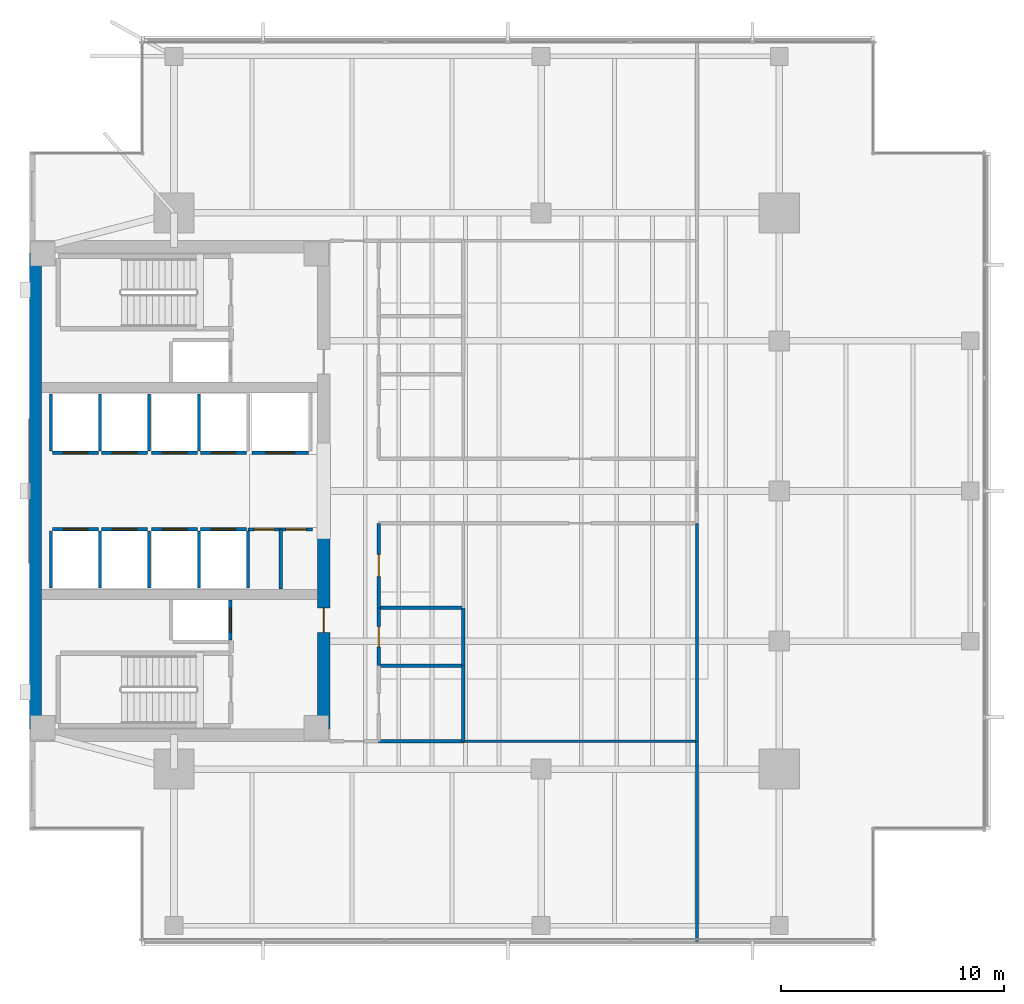
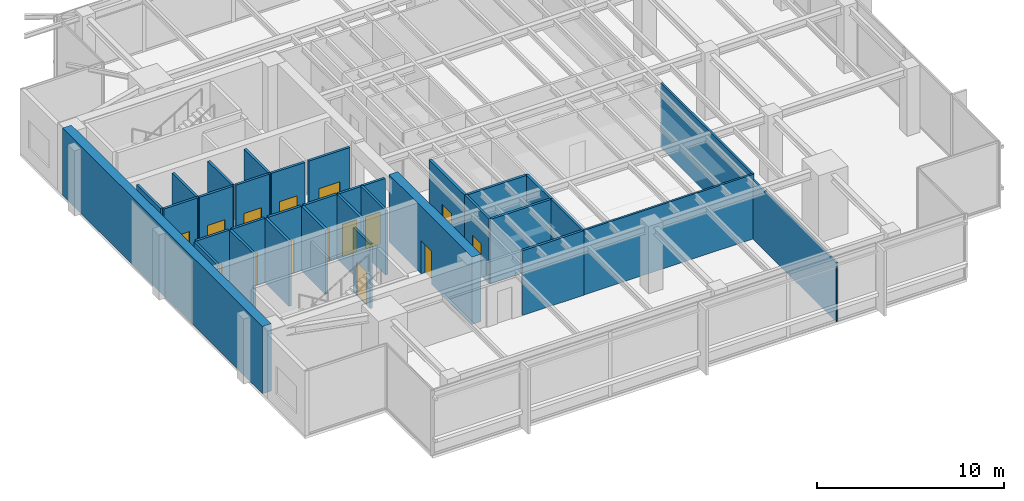
# One storey, part 8 of 14: 33 walls, 15 doors, 15 openings.
"""IFC4 building model written with IfcOpenShell, lengths in metres."""

from ifc_helpers import new_model, si_unit, direction, frame, frame_2d, origin, place, context, subcontext, project, spatial, rectangle, extrude, material, layer, layer_set, type_object, element, fill, save


model = new_model("IFC4")

# Units and contexts
model_context = context("Model", 3, precision=1e-05, world=origin(), true_north=direction((0.0, 1.0)))
body_context = subcontext(model_context, "Body", "Model", "MODEL_VIEW")
ifc_project = project(units=[si_unit("LENGTHUNIT", "METRE"), si_unit("AREAUNIT", "SQUARE_METRE"), si_unit("VOLUMEUNIT", "CUBIC_METRE"), si_unit("PLANEANGLEUNIT", "RADIAN"), si_unit("MASSUNIT", "GRAM", prefix="KILO")], contexts=[model_context])

# Site, building, storey
site_placement = place(None, origin())
site = spatial("IfcSite", under=ifc_project, at=site_placement, CompositionType="ELEMENT")
building_placement = place(site_placement, origin())
building = spatial("IfcBuilding", under=site, at=building_placement, Name="Kinhvarn Gate Tower", CompositionType="ELEMENT")
storey_placement = place(building_placement, frame((0.0, 0.0, 183.64990234375)))
storey = spatial("IfcBuildingStorey", under=building, at=storey_placement, Name="L48", CompositionType="ELEMENT", Elevation=183.64990234375)

# Wall, opening, door
ifc_material_1 = material(Name="Concrete C60/75", Category="concrete")
ifc_layer_1 = layer(ifc_material_1, 0.550048828125)
ifc_layer_set_1 = layer_set([ifc_layer_1], Name="Concrete C60/75")
wall_type_1 = type_object("IfcWallType", Name="WL-CORE-550", PredefinedType="SHEAR", material=ifc_layer_set_1)
wall_1_placement = place(storey_placement, frame((17.72509765625, 14.550048828125, 0.0), z_axis=(0.0, 0.0, 1.0), x_axis=(0.0, 1.0, 0.0)))
wall_1 = element("IfcWall", 1, at=wall_1_placement, inside=storey, type_object=wall_type_1, Name="Core East-South Shear Pier L48 550 mm", PredefinedType="SHEAR", context=body_context, shape_type="SweptSolid", body=[
    extrude(rectangle(XDim=8.89990234375, YDim=0.550048828125, at=frame_2d((4.449951171875, 0.0))), origin(), (0.0, 0.0, 1.0), 4.400146484375),
])
opening_1_placement = place(wall_1_placement, frame((4.35009765625, 0.0, 0.0)))
opening_1 = element("IfcOpeningElement", 2, at=opening_1_placement, cuts=wall_1, Name="Opening FD-02", PredefinedType="OPENING", context=body_context, shape_type="SweptSolid", body=[
    extrude(rectangle(XDim=1.10009765625, YDim=2.14990234375, at=frame_2d((0.550048828125, 1.074951171875))), frame((0.0, 0.28515625, 0.0), z_axis=(0.0, -1.0, 0.0), x_axis=(1.0, 0.0, 0.0)), (0.0, 0.0, 1.0), 0.570068359375),
])
ifc_material_2 = material(Name="Anodised aluminium AW-6063", Category="aluminium")
door_type_1 = type_object("IfcDoorType", Name="DR-FD-1100", OperationType="NOTDEFINED", PredefinedType="DOOR", material=ifc_material_2)
door_1_placement = place(opening_1_placement, origin())
door_1 = element("IfcDoor", 3, at=door_1_placement, inside=storey, type_object=door_type_1, Name="Firefighting Lobby Core Door (L48)", OperationType="SINGLE_SWING_RIGHT", OverallHeight=2.14990234375, OverallWidth=1.10009765625, PredefinedType="DOOR", context=body_context, shape_type="SweptSolid", body=[
    extrude(rectangle(XDim=1.10009765625, YDim=2.14990234375, at=frame_2d((0.550048828125, 1.074951171875))), frame((0.0, 0.02490234375, 0.0), z_axis=(0.0, -1.0, 0.0), x_axis=(1.0, 0.0, 0.0)), (0.0, 0.0, 1.0), 0.050048828125),
])
fill(opening_1, door_1)

# Walls
ifc_layer_2 = layer(ifc_material_1, 0.550048828125)
ifc_layer_set_2 = layer_set([ifc_layer_2], Name="Concrete C60/75")
wall_type_2 = type_object("IfcWallType", Name="WL-COREX-550", PredefinedType="SHEAR", material=ifc_layer_set_2)
wall_2_placement = place(storey_placement, frame((4.77490234375, 14.550048828125, 0.0), z_axis=(0.0, 0.0, 1.0), x_axis=(0.0, 1.0, 0.0)))
element("IfcWall", 4, at=wall_2_placement, inside=storey, type_object=wall_type_2, Name="Core West Shear Wall L48 550 mm", PredefinedType="SHEAR", context=body_context, shape_type="SweptSolid", body=[
    extrude(rectangle(XDim=21.39990234375, YDim=0.550048828125, at=frame_2d((10.699951171875, 0.0))), origin(), (0.0, 0.0, 1.0), 4.400146484375),
])
ifc_material_3 = material(Name="Gypsum acoustic partition board")
ifc_layer_3 = layer(ifc_material_3, 0.14990234375)
ifc_layer_set_3 = layer_set([ifc_layer_3], Name="Gypsum acoustic partition board")
wall_type_3 = type_object("IfcWallType", Name="WL-PLM-150", PredefinedType="PLUMBINGWALL", material=ifc_layer_set_3)
for number, where, z_axis, x_axis, name in (
    (5, (20.199951171875, 17.39990234375, 0.0), (0.0, 0.0, 1.0), (1.0, 0.0, 0.0), "Interior Partition PLW-150 (L48)"),
    (6, (20.199951171875, 14.0, 0.0), (0.0, 0.0, 1.0), (1.0, 0.0, 0.0), "Interior Partition PLW-150 (L48)"),
):
    element("IfcWall", number, at=place(storey_placement, frame(where, z_axis=z_axis, x_axis=x_axis)), inside=storey, type_object=wall_type_3, Name=name, PredefinedType="PLUMBINGWALL", context=body_context, shape_type="SweptSolid", body=[
        extrude(rectangle(XDim=3.800048828125, YDim=0.14990234375, at=frame_2d((1.89990234375, 0.0))), origin(), (0.0, 0.0, 1.0), 4.22021484375),
    ])
wall_3_placement = place(storey_placement, frame((24.0, 14.0, 0.0), z_axis=(0.0, 0.0, 1.0), x_axis=(0.0, 1.0, 0.0)))
element("IfcWall", 7, at=wall_3_placement, inside=storey, type_object=wall_type_3, Name="Interior Partition PLW-150 (L48)", PredefinedType="PLUMBINGWALL", context=body_context, shape_type="SweptSolid", body=[
    extrude(rectangle(XDim=3.39990234375, YDim=0.14990234375, at=frame_2d((1.699951171875, 0.0))), origin(), (0.0, 0.0, 1.0), 4.22021484375),
])
wall_4_placement = place(storey_placement, frame((24.0, 17.39990234375, 0.0), z_axis=(0.0, 0.0, 1.0), x_axis=(0.0, 1.0, 0.0)))
element("IfcWall", 8, at=wall_4_placement, inside=storey, type_object=wall_type_3, Name="Interior Partition PLW-150 (L48)", PredefinedType="PLUMBINGWALL", context=body_context, shape_type="SweptSolid", body=[
    extrude(rectangle(XDim=2.60009765625, YDim=0.14990234375, at=frame_2d((1.300048828125, 0.0))), origin(), (0.0, 0.0, 1.0), 4.22021484375),
])
wall_5_placement = place(storey_placement, frame((20.199951171875, 20.0, 0.0), z_axis=(0.0, 0.0, 1.0), x_axis=(1.0, 0.0, 0.0)))
element("IfcWall", 9, at=wall_5_placement, inside=storey, type_object=wall_type_3, Name="Interior Partition PLW-150 (L48)", PredefinedType="PLUMBINGWALL", context=body_context, shape_type="SweptSolid", body=[
    extrude(rectangle(XDim=3.800048828125, YDim=0.14990234375, at=frame_2d((1.89990234375, 0.0))), origin(), (0.0, 0.0, 1.0), 4.22021484375),
])

# Wall, opening, door
ifc_layer_4 = layer(ifc_material_3, 0.14990234375)
ifc_layer_set_4 = layer_set([ifc_layer_4], Name="Gypsum acoustic partition board")
wall_type_4 = type_object("IfcWallType", Name="WL-PLM-150F", PredefinedType="PLUMBINGWALL", material=ifc_layer_set_4)
wall_6_placement = place(storey_placement, frame((20.199951171875, 17.39990234375, 0.0), z_axis=(0.0, 0.0, 1.0), x_axis=(0.0, 1.0, 0.0)))
wall_6 = element("IfcWall", 10, at=wall_6_placement, inside=storey, type_object=wall_type_4, Name="Interior Partition PLW-150F (L48)", PredefinedType="PLUMBINGWALL", context=body_context, shape_type="SweptSolid", body=[
    extrude(rectangle(XDim=2.60009765625, YDim=0.14990234375, at=frame_2d((1.300048828125, 0.0))), origin(), (0.0, 0.0, 1.0), 4.22021484375),
])
opening_2_placement = place(wall_6_placement, frame((0.85009765625, 0.0, 0.0)))
opening_2 = element("IfcOpeningElement", 11, at=opening_2_placement, cuts=wall_6, Name="Opening FD-04", PredefinedType="OPENING", context=body_context, shape_type="SweptSolid", body=[
    extrude(rectangle(XDim=0.89990234375, YDim=2.10009765625, at=frame_2d((0.449951171875, 1.050048828125))), frame((0.0, 0.0849609375, 0.0), z_axis=(0.0, -1.0, 0.0), x_axis=(1.0, 0.0, 0.0)), (0.0, 0.0, 1.0), 0.169921875),
])
door_type_2 = type_object("IfcDoorType", Name="DR-FD-900", OperationType="NOTDEFINED", PredefinedType="DOOR", material=ifc_material_2)
door_2_placement = place(opening_2_placement, origin())
door_2 = element("IfcDoor", 12, at=door_2_placement, inside=storey, type_object=door_type_2, Name="Rated Riser & Service Closet Fire Door 900x2100 mm (L48)", OperationType="SINGLE_SWING_LEFT", OverallHeight=2.10009765625, OverallWidth=0.89990234375, PredefinedType="DOOR", context=body_context, shape_type="SweptSolid", body=[
    extrude(rectangle(XDim=0.89990234375, YDim=2.10009765625, at=frame_2d((0.449951171875, 1.050048828125))), frame((0.0, 0.02490234375, 0.0), z_axis=(0.0, -1.0, 0.0), x_axis=(1.0, 0.0, 0.0)), (0.0, 0.0, 1.0), 0.050048828125),
])
fill(opening_2, door_2)

# Walls
ifc_layer_5 = layer(ifc_material_3, 0.1201171875)
ifc_layer_set_5 = layer_set([ifc_layer_5], Name="Gypsum acoustic partition board")
wall_type_5 = type_object("IfcWallType", Name="WL-PRT-120", PredefinedType="PARTITIONING", material=ifc_layer_set_5)
wall_7_placement = place(storey_placement, frame((24.0, 14.0, 0.0), z_axis=(0.0, 0.0, 1.0), x_axis=(1.0, 0.0, 0.0)))
element("IfcWall", 13, at=wall_7_placement, inside=storey, type_object=wall_type_5, Name="Interior Partition PW-120 (L48)", PredefinedType="PARTITIONING", context=body_context, shape_type="SweptSolid", body=[
    extrude(rectangle(XDim=10.5, YDim=0.1201171875, at=frame_2d((5.25, 0.0))), origin(), (0.0, 0.0, 1.0), 4.22021484375),
])
wall_8_placement = place(storey_placement, frame((34.5, 5.010009765625, 0.0), z_axis=(0.0, 0.0, 1.0), x_axis=(0.0, 1.0, 0.0)))
element("IfcWall", 14, at=wall_8_placement, inside=storey, type_object=wall_type_5, Name="Interior Partition PW-120 (L48)", PredefinedType="PARTITIONING", context=body_context, shape_type="SweptSolid", body=[
    extrude(rectangle(XDim=8.989990234375, YDim=0.1201171875, at=frame_2d((4.4951171875, 0.0))), origin(), (0.0, 0.0, 1.0), 3.860107421875),
])
wall_9_placement = place(storey_placement, frame((34.5, 14.0, 0.0), z_axis=(0.0, 0.0, 1.0), x_axis=(0.0, 1.0, 0.0)))
element("IfcWall", 15, at=wall_9_placement, inside=storey, type_object=wall_type_5, Name="Interior Partition PW-120 (L48)", PredefinedType="PARTITIONING", context=body_context, shape_type="SweptSolid", body=[
    extrude(rectangle(XDim=9.800048828125, YDim=0.1201171875, at=frame_2d((4.89990234375, 0.0))), origin(), (0.0, 0.0, 1.0), 4.22021484375),
])
ifc_layer_6 = layer(ifc_material_3, 0.14990234375)
ifc_layer_set_6 = layer_set([ifc_layer_6], Name="Gypsum acoustic partition board")
wall_type_6 = type_object("IfcWallType", Name="WL-PRT-150F", PredefinedType="PARTITIONING", material=ifc_layer_set_6)
wall_10_placement = place(storey_placement, frame((15.800048828125, 20.85009765625, 0.0), z_axis=(0.0, 0.0, 1.0), x_axis=(0.0, 1.0, 0.0)))
element("IfcWall", 16, at=wall_10_placement, inside=storey, type_object=wall_type_6, Name="Interior Partition PW-150F (L48)", PredefinedType="PARTITIONING", context=body_context, shape_type="SweptSolid", body=[
    extrude(rectangle(XDim=2.669921875, YDim=0.14990234375, at=frame_2d((1.3349609375, 0.0))), origin(), (0.0, 0.0, 1.0), 4.22021484375),
])

# Wall, openings, doors
wall_11_placement = place(storey_placement, frame((14.330078125, 23.52001953125, 0.0), z_axis=(0.0, 0.0, 1.0), x_axis=(1.0, 0.0, 0.0)))
wall_11 = element("IfcWall", 17, at=wall_11_placement, inside=storey, type_object=wall_type_6, Name="Interior Partition PW-150F (L48)", PredefinedType="PARTITIONING", context=body_context, shape_type="SweptSolid", body=[
    extrude(rectangle(XDim=2.889892578125, YDim=0.14990234375, at=frame_2d((1.44482421875, 0.0))), origin(), (0.0, 0.0, 1.0), 4.22021484375),
])
opening_3_placement = place(wall_11_placement, frame((0.280029296875, 0.0, 0.0)))
opening_3 = element("IfcOpeningElement", 18, at=opening_3_placement, cuts=wall_11, Name="Opening FD-04", PredefinedType="OPENING", context=body_context, shape_type="SweptSolid", body=[
    extrude(rectangle(XDim=0.89990234375, YDim=2.10009765625, at=frame_2d((0.449951171875, 1.050048828125))), frame((0.0, 0.0849609375, 0.0), z_axis=(0.0, -1.0, 0.0), x_axis=(1.0, 0.0, 0.0)), (0.0, 0.0, 1.0), 0.169921875),
])
opening_4_placement = place(wall_11_placement, frame((1.7099609375, 0.0, 0.0)))
opening_4 = element("IfcOpeningElement", 19, at=opening_4_placement, cuts=wall_11, Name="Opening FD-04", PredefinedType="OPENING", context=body_context, shape_type="SweptSolid", body=[
    extrude(rectangle(XDim=0.89990234375, YDim=2.10009765625, at=frame_2d((0.449951171875, 1.050048828125))), frame((0.0, 0.0849609375, 0.0), z_axis=(0.0, -1.0, 0.0), x_axis=(1.0, 0.0, 0.0)), (0.0, 0.0, 1.0), 0.169921875),
])
door_3_placement = place(opening_3_placement, origin())
door_3 = element("IfcDoor", 20, at=door_3_placement, inside=storey, type_object=door_type_2, Name="Rated Riser & Service Closet Fire Door 900x2100 mm (L48)", OperationType="SINGLE_SWING_LEFT", OverallHeight=2.10009765625, OverallWidth=0.89990234375, PredefinedType="DOOR", context=body_context, shape_type="SweptSolid", body=[
    extrude(rectangle(XDim=0.89990234375, YDim=2.10009765625, at=frame_2d((0.449951171875, 1.050048828125))), frame((0.0, 0.02490234375, 0.0), z_axis=(0.0, -1.0, 0.0), x_axis=(1.0, 0.0, 0.0)), (0.0, 0.0, 1.0), 0.050048828125),
])
fill(opening_3, door_3)
door_4_placement = place(opening_4_placement, origin())
door_4 = element("IfcDoor", 21, at=door_4_placement, inside=storey, type_object=door_type_2, Name="Rated Riser & Service Closet Fire Door 900x2100 mm (L48)", OperationType="SINGLE_SWING_RIGHT", OverallHeight=2.10009765625, OverallWidth=0.89990234375, PredefinedType="DOOR", context=body_context, shape_type="SweptSolid", body=[
    extrude(rectangle(XDim=0.89990234375, YDim=2.10009765625, at=frame_2d((0.449951171875, 1.050048828125))), frame((0.0, 0.02490234375, 0.0), z_axis=(0.0, -1.0, 0.0), x_axis=(1.0, 0.0, 0.0)), (0.0, 0.0, 1.0), 0.050048828125),
])
fill(opening_4, door_4)

# Wall, opening, door
wall_12_placement = place(storey_placement, frame((20.199951171875, 20.0, 0.0), z_axis=(0.0, 0.0, 1.0), x_axis=(0.0, 1.0, 0.0)))
wall_12 = element("IfcWall", 22, at=wall_12_placement, inside=storey, type_object=wall_type_6, Name="Interior Partition PW-150F (L48)", PredefinedType="PARTITIONING", context=body_context, shape_type="SweptSolid", body=[
    extrude(rectangle(XDim=3.800048828125, YDim=0.14990234375, at=frame_2d((1.89990234375, 0.0))), origin(), (0.0, 0.0, 1.0), 4.22021484375),
])
opening_5_placement = place(wall_12_placement, frame((1.39990234375, 0.0, 0.0)))
opening_5 = element("IfcOpeningElement", 23, at=opening_5_placement, cuts=wall_12, Name="Opening ID-02", PredefinedType="OPENING", context=body_context, shape_type="SweptSolid", body=[
    extrude(rectangle(XDim=1.0, YDim=2.14990234375, at=frame_2d((0.5, 1.074951171875))), frame((0.0, 0.0849609375, 0.0), z_axis=(0.0, -1.0, 0.0), x_axis=(1.0, 0.0, 0.0)), (0.0, 0.0, 1.0), 0.169921875),
])
door_type_3 = type_object("IfcDoorType", Name="DR-INT-1000", OperationType="NOTDEFINED", PredefinedType="DOOR", material=ifc_material_2)
door_5_placement = place(opening_5_placement, origin())
door_5 = element("IfcDoor", 24, at=door_5_placement, inside=storey, type_object=door_type_3, Name="Standard Office & Meeting Room Door 1000x2150 mm (L48)", OperationType="SINGLE_SWING_LEFT", OverallHeight=2.14990234375, OverallWidth=1.0, PredefinedType="DOOR", context=body_context, shape_type="SweptSolid", body=[
    extrude(rectangle(XDim=1.0, YDim=2.14990234375, at=frame_2d((0.5, 1.074951171875))), frame((0.0, 0.02490234375, 0.0), z_axis=(0.0, -1.0, 0.0), x_axis=(1.0, 0.0, 0.0)), (0.0, 0.0, 1.0), 0.050048828125),
])
fill(opening_5, door_5)

ifc_layer_7 = layer(ifc_material_3, 0.14990234375)
ifc_layer_set_7 = layer_set([ifc_layer_7], Name="Gypsum acoustic partition board")
wall_type_7 = type_object("IfcWallType", Name="WL-SHF-150", PredefinedType="PARTITIONING", material=ifc_layer_set_7)
wall_13_placement = place(storey_placement, frame((5.550048828125, 23.52490234375, 0.0), z_axis=(0.0, 0.0, 1.0), x_axis=(1.0, 0.0, 0.0)))
wall_13 = element("IfcWall", 25, at=wall_13_placement, inside=storey, type_object=wall_type_7, Name="Elevator PM-05 Landing Wall (L48)", PredefinedType="PARTITIONING", context=body_context, shape_type="SweptSolid", body=[
    extrude(rectangle(XDim=2.050048828125, YDim=0.14990234375, at=frame_2d((1.02490234375, 0.0))), origin(), (0.0, 0.0, 1.0), 4.22021484375),
])
opening_6_placement = place(wall_13_placement, frame((0.47509765625, 0.0, 0.0)))
opening_6 = element("IfcOpeningElement", 26, at=opening_6_placement, cuts=wall_13, Name="Opening LD-01", PredefinedType="OPENING", context=body_context, shape_type="SweptSolid", body=[
    extrude(rectangle(XDim=1.10009765625, YDim=2.199951171875, at=frame_2d((0.550048828125, 1.10009765625))), frame((0.0, 0.0849609375, 0.0), z_axis=(0.0, -1.0, 0.0), x_axis=(1.0, 0.0, 0.0)), (0.0, 0.0, 1.0), 0.169921875),
])
door_type_4 = type_object("IfcDoorType", Name="DR-LND-PAS", OperationType="NOTDEFINED", PredefinedType="DOOR", material=ifc_material_2)
door_6_placement = place(opening_6_placement, origin())
door_6 = element("IfcDoor", 27, at=door_6_placement, inside=storey, type_object=door_type_4, Name="Elevator PM-05 Sliding Landing Door (L48)", OperationType="DOUBLE_DOOR_SLIDING", OverallHeight=2.199951171875, OverallWidth=1.10009765625, PredefinedType="DOOR", context=body_context, shape_type="SweptSolid", body=[
    extrude(rectangle(XDim=1.10009765625, YDim=2.199951171875, at=frame_2d((0.550048828125, 1.10009765625))), frame((0.0, 0.02490234375, 0.0), z_axis=(0.0, -1.0, 0.0), x_axis=(1.0, 0.0, 0.0)), (0.0, 0.0, 1.0), 0.050048828125),
])
fill(opening_6, door_6)

# Walls
for number, where, z_axis, x_axis, name in (
    (28, (5.47509765625, 20.89990234375, 0.0), (0.0, 0.0, 1.0), (0.0, 1.0, 0.0), "Elevator PM-05 Hoistway Wall W (L48)"),
    (29, (7.675048828125, 20.89990234375, 0.0), (0.0, 0.0, 1.0), (0.0, 1.0, 0.0), "Elevator PM-05 Hoistway Wall E (L48)"),
):
    element("IfcWall", number, at=place(storey_placement, frame(where, z_axis=z_axis, x_axis=x_axis)), inside=storey, type_object=wall_type_7, Name=name, PredefinedType="PARTITIONING", context=body_context, shape_type="SweptSolid", body=[
        extrude(rectangle(XDim=2.550048828125, YDim=0.14990234375, at=frame_2d((1.27490234375, 0.0))), origin(), (0.0, 0.0, 1.0), 4.22021484375),
    ])

# Wall, opening, door
wall_14_placement = place(storey_placement, frame((7.75, 23.52490234375, 0.0), z_axis=(0.0, 0.0, 1.0), x_axis=(1.0, 0.0, 0.0)))
wall_14 = element("IfcWall", 30, at=wall_14_placement, inside=storey, type_object=wall_type_7, Name="Elevator PM-06 Landing Wall (L48)", PredefinedType="PARTITIONING", context=body_context, shape_type="SweptSolid", body=[
    extrude(rectangle(XDim=2.050048828125, YDim=0.14990234375, at=frame_2d((1.02490234375, 0.0))), origin(), (0.0, 0.0, 1.0), 4.22021484375),
])
opening_7_placement = place(wall_14_placement, frame((0.47509765625, 0.0, 0.0)))
opening_7 = element("IfcOpeningElement", 31, at=opening_7_placement, cuts=wall_14, Name="Opening LD-01", PredefinedType="OPENING", context=body_context, shape_type="SweptSolid", body=[
    extrude(rectangle(XDim=1.10009765625, YDim=2.199951171875, at=frame_2d((0.550048828125, 1.10009765625))), frame((0.0, 0.0849609375, 0.0), z_axis=(0.0, -1.0, 0.0), x_axis=(1.0, 0.0, 0.0)), (0.0, 0.0, 1.0), 0.169921875),
])
door_7_placement = place(opening_7_placement, origin())
door_7 = element("IfcDoor", 32, at=door_7_placement, inside=storey, type_object=door_type_4, Name="Elevator PM-06 Sliding Landing Door (L48)", OperationType="DOUBLE_DOOR_SLIDING", OverallHeight=2.199951171875, OverallWidth=1.10009765625, PredefinedType="DOOR", context=body_context, shape_type="SweptSolid", body=[
    extrude(rectangle(XDim=1.10009765625, YDim=2.199951171875, at=frame_2d((0.550048828125, 1.10009765625))), frame((0.0, 0.02490234375, 0.0), z_axis=(0.0, -1.0, 0.0), x_axis=(1.0, 0.0, 0.0)), (0.0, 0.0, 1.0), 0.050048828125),
])
fill(opening_7, door_7)

# Wall
wall_15_placement = place(storey_placement, frame((9.875, 20.89990234375, 0.0), z_axis=(0.0, 0.0, 1.0), x_axis=(0.0, 1.0, 0.0)))
element("IfcWall", 33, at=wall_15_placement, inside=storey, type_object=wall_type_7, Name="Elevator PM-06 Hoistway Wall E (L48)", PredefinedType="PARTITIONING", context=body_context, shape_type="SweptSolid", body=[
    extrude(rectangle(XDim=2.550048828125, YDim=0.14990234375, at=frame_2d((1.27490234375, 0.0))), origin(), (0.0, 0.0, 1.0), 4.22021484375),
])

# Wall, opening, door
wall_16_placement = place(storey_placement, frame((5.550048828125, 26.97509765625, 0.0), z_axis=(0.0, 0.0, 1.0), x_axis=(1.0, 0.0, 0.0)))
wall_16 = element("IfcWall", 34, at=wall_16_placement, inside=storey, type_object=wall_type_7, Name="Elevator PM-07 Landing Wall (L48)", PredefinedType="PARTITIONING", context=body_context, shape_type="SweptSolid", body=[
    extrude(rectangle(XDim=2.050048828125, YDim=0.14990234375, at=frame_2d((1.02490234375, 0.0))), origin(), (0.0, 0.0, 1.0), 4.22021484375),
])
opening_8_placement = place(wall_16_placement, frame((0.47509765625, 0.0, 0.0)))
opening_8 = element("IfcOpeningElement", 35, at=opening_8_placement, cuts=wall_16, Name="Opening LD-01", PredefinedType="OPENING", context=body_context, shape_type="SweptSolid", body=[
    extrude(rectangle(XDim=1.10009765625, YDim=2.199951171875, at=frame_2d((0.550048828125, 1.10009765625))), frame((0.0, 0.0849609375, 0.0), z_axis=(0.0, -1.0, 0.0), x_axis=(1.0, 0.0, 0.0)), (0.0, 0.0, 1.0), 0.169921875),
])
door_8_placement = place(opening_8_placement, origin())
door_8 = element("IfcDoor", 36, at=door_8_placement, inside=storey, type_object=door_type_4, Name="Elevator PM-07 Sliding Landing Door (L48)", OperationType="DOUBLE_DOOR_SLIDING", OverallHeight=2.199951171875, OverallWidth=1.10009765625, PredefinedType="DOOR", context=body_context, shape_type="SweptSolid", body=[
    extrude(rectangle(XDim=1.10009765625, YDim=2.199951171875, at=frame_2d((0.550048828125, 1.10009765625))), frame((0.0, 0.02490234375, 0.0), z_axis=(0.0, -1.0, 0.0), x_axis=(1.0, 0.0, 0.0)), (0.0, 0.0, 1.0), 0.050048828125),
])
fill(opening_8, door_8)

# Walls
for number, where, z_axis, x_axis, name in (
    (37, (5.47509765625, 27.050048828125, 0.0), (0.0, 0.0, 1.0), (0.0, 1.0, 0.0), "Elevator PM-07 Hoistway Wall W (L48)"),
    (38, (7.675048828125, 27.050048828125, 0.0), (0.0, 0.0, 1.0), (0.0, 1.0, 0.0), "Elevator PM-07 Hoistway Wall E (L48)"),
):
    element("IfcWall", number, at=place(storey_placement, frame(where, z_axis=z_axis, x_axis=x_axis)), inside=storey, type_object=wall_type_7, Name=name, PredefinedType="PARTITIONING", context=body_context, shape_type="SweptSolid", body=[
        extrude(rectangle(XDim=2.550048828125, YDim=0.14990234375, at=frame_2d((1.27490234375, 0.0))), origin(), (0.0, 0.0, 1.0), 4.22021484375),
    ])

# Wall, opening, door
wall_17_placement = place(storey_placement, frame((7.75, 26.97509765625, 0.0), z_axis=(0.0, 0.0, 1.0), x_axis=(1.0, 0.0, 0.0)))
wall_17 = element("IfcWall", 39, at=wall_17_placement, inside=storey, type_object=wall_type_7, Name="Elevator PM-08 Landing Wall (L48)", PredefinedType="PARTITIONING", context=body_context, shape_type="SweptSolid", body=[
    extrude(rectangle(XDim=2.050048828125, YDim=0.14990234375, at=frame_2d((1.02490234375, 0.0))), origin(), (0.0, 0.0, 1.0), 4.22021484375),
])
opening_9_placement = place(wall_17_placement, frame((0.47509765625, 0.0, 0.0)))
opening_9 = element("IfcOpeningElement", 40, at=opening_9_placement, cuts=wall_17, Name="Opening LD-01", PredefinedType="OPENING", context=body_context, shape_type="SweptSolid", body=[
    extrude(rectangle(XDim=1.10009765625, YDim=2.199951171875, at=frame_2d((0.550048828125, 1.10009765625))), frame((0.0, 0.0849609375, 0.0), z_axis=(0.0, -1.0, 0.0), x_axis=(1.0, 0.0, 0.0)), (0.0, 0.0, 1.0), 0.169921875),
])
door_9_placement = place(opening_9_placement, origin())
door_9 = element("IfcDoor", 41, at=door_9_placement, inside=storey, type_object=door_type_4, Name="Elevator PM-08 Sliding Landing Door (L48)", OperationType="DOUBLE_DOOR_SLIDING", OverallHeight=2.199951171875, OverallWidth=1.10009765625, PredefinedType="DOOR", context=body_context, shape_type="SweptSolid", body=[
    extrude(rectangle(XDim=1.10009765625, YDim=2.199951171875, at=frame_2d((0.550048828125, 1.10009765625))), frame((0.0, 0.02490234375, 0.0), z_axis=(0.0, -1.0, 0.0), x_axis=(1.0, 0.0, 0.0)), (0.0, 0.0, 1.0), 0.050048828125),
])
fill(opening_9, door_9)

# Wall
wall_18_placement = place(storey_placement, frame((9.875, 27.050048828125, 0.0), z_axis=(0.0, 0.0, 1.0), x_axis=(0.0, 1.0, 0.0)))
element("IfcWall", 42, at=wall_18_placement, inside=storey, type_object=wall_type_7, Name="Elevator PM-08 Hoistway Wall E (L48)", PredefinedType="PARTITIONING", context=body_context, shape_type="SweptSolid", body=[
    extrude(rectangle(XDim=2.550048828125, YDim=0.14990234375, at=frame_2d((1.27490234375, 0.0))), origin(), (0.0, 0.0, 1.0), 4.22021484375),
])

# Wall, opening, door
wall_19_placement = place(storey_placement, frame((10.0, 23.52490234375, 0.0), z_axis=(0.0, 0.0, 1.0), x_axis=(1.0, 0.0, 0.0)))
wall_19 = element("IfcWall", 43, at=wall_19_placement, inside=storey, type_object=wall_type_7, Name="Elevator PH-09 Landing Wall (L48)", PredefinedType="PARTITIONING", context=body_context, shape_type="SweptSolid", body=[
    extrude(rectangle(XDim=2.050048828125, YDim=0.14990234375, at=frame_2d((1.02490234375, 0.0))), origin(), (0.0, 0.0, 1.0), 4.22021484375),
])
opening_10_placement = place(wall_19_placement, frame((0.47509765625, 0.0, 0.0)))
opening_10 = element("IfcOpeningElement", 44, at=opening_10_placement, cuts=wall_19, Name="Opening LD-01", PredefinedType="OPENING", context=body_context, shape_type="SweptSolid", body=[
    extrude(rectangle(XDim=1.10009765625, YDim=2.199951171875, at=frame_2d((0.550048828125, 1.10009765625))), frame((0.0, 0.0849609375, 0.0), z_axis=(0.0, -1.0, 0.0), x_axis=(1.0, 0.0, 0.0)), (0.0, 0.0, 1.0), 0.169921875),
])
door_10_placement = place(opening_10_placement, origin())
door_10 = element("IfcDoor", 45, at=door_10_placement, inside=storey, type_object=door_type_4, Name="Elevator PH-09 Sliding Landing Door (L48)", OperationType="DOUBLE_DOOR_SLIDING", OverallHeight=2.199951171875, OverallWidth=1.10009765625, PredefinedType="DOOR", context=body_context, shape_type="SweptSolid", body=[
    extrude(rectangle(XDim=1.10009765625, YDim=2.199951171875, at=frame_2d((0.550048828125, 1.10009765625))), frame((0.0, 0.02490234375, 0.0), z_axis=(0.0, -1.0, 0.0), x_axis=(1.0, 0.0, 0.0)), (0.0, 0.0, 1.0), 0.050048828125),
])
fill(opening_10, door_10)

# Wall
wall_20_placement = place(storey_placement, frame((12.125, 20.89990234375, 0.0), z_axis=(0.0, 0.0, 1.0), x_axis=(0.0, 1.0, 0.0)))
element("IfcWall", 46, at=wall_20_placement, inside=storey, type_object=wall_type_7, Name="Elevator PH-09 Hoistway Wall E (L48)", PredefinedType="PARTITIONING", context=body_context, shape_type="SweptSolid", body=[
    extrude(rectangle(XDim=2.550048828125, YDim=0.14990234375, at=frame_2d((1.27490234375, 0.0))), origin(), (0.0, 0.0, 1.0), 4.22021484375),
])

# Wall, opening, door
wall_21_placement = place(storey_placement, frame((12.199951171875, 23.52490234375, 0.0), z_axis=(0.0, 0.0, 1.0), x_axis=(1.0, 0.0, 0.0)))
wall_21 = element("IfcWall", 47, at=wall_21_placement, inside=storey, type_object=wall_type_7, Name="Elevator PH-10 Landing Wall (L48)", PredefinedType="PARTITIONING", context=body_context, shape_type="SweptSolid", body=[
    extrude(rectangle(XDim=2.050048828125, YDim=0.14990234375, at=frame_2d((1.02490234375, 0.0))), origin(), (0.0, 0.0, 1.0), 4.22021484375),
])
opening_11_placement = place(wall_21_placement, frame((0.47509765625, 0.0, 0.0)))
opening_11 = element("IfcOpeningElement", 48, at=opening_11_placement, cuts=wall_21, Name="Opening LD-01", PredefinedType="OPENING", context=body_context, shape_type="SweptSolid", body=[
    extrude(rectangle(XDim=1.10009765625, YDim=2.199951171875, at=frame_2d((0.550048828125, 1.10009765625))), frame((0.0, 0.0849609375, 0.0), z_axis=(0.0, -1.0, 0.0), x_axis=(1.0, 0.0, 0.0)), (0.0, 0.0, 1.0), 0.169921875),
])
door_11_placement = place(opening_11_placement, origin())
door_11 = element("IfcDoor", 49, at=door_11_placement, inside=storey, type_object=door_type_4, Name="Elevator PH-10 Sliding Landing Door (L48)", OperationType="DOUBLE_DOOR_SLIDING", OverallHeight=2.199951171875, OverallWidth=1.10009765625, PredefinedType="DOOR", context=body_context, shape_type="SweptSolid", body=[
    extrude(rectangle(XDim=1.10009765625, YDim=2.199951171875, at=frame_2d((0.550048828125, 1.10009765625))), frame((0.0, 0.02490234375, 0.0), z_axis=(0.0, -1.0, 0.0), x_axis=(1.0, 0.0, 0.0)), (0.0, 0.0, 1.0), 0.050048828125),
])
fill(opening_11, door_11)

# Wall
wall_22_placement = place(storey_placement, frame((14.324951171875, 20.89990234375, 0.0), z_axis=(0.0, 0.0, 1.0), x_axis=(0.0, 1.0, 0.0)))
element("IfcWall", 50, at=wall_22_placement, inside=storey, type_object=wall_type_7, Name="Elevator PH-10 Hoistway Wall E (L48)", PredefinedType="PARTITIONING", context=body_context, shape_type="SweptSolid", body=[
    extrude(rectangle(XDim=2.550048828125, YDim=0.14990234375, at=frame_2d((1.27490234375, 0.0))), origin(), (0.0, 0.0, 1.0), 4.22021484375),
])

# Wall, opening, door
wall_23_placement = place(storey_placement, frame((10.0, 26.97509765625, 0.0), z_axis=(0.0, 0.0, 1.0), x_axis=(1.0, 0.0, 0.0)))
wall_23 = element("IfcWall", 51, at=wall_23_placement, inside=storey, type_object=wall_type_7, Name="Elevator PH-11 Landing Wall (L48)", PredefinedType="PARTITIONING", context=body_context, shape_type="SweptSolid", body=[
    extrude(rectangle(XDim=2.050048828125, YDim=0.14990234375, at=frame_2d((1.02490234375, 0.0))), origin(), (0.0, 0.0, 1.0), 4.22021484375),
])
opening_12_placement = place(wall_23_placement, frame((0.47509765625, 0.0, 0.0)))
opening_12 = element("IfcOpeningElement", 52, at=opening_12_placement, cuts=wall_23, Name="Opening LD-01", PredefinedType="OPENING", context=body_context, shape_type="SweptSolid", body=[
    extrude(rectangle(XDim=1.10009765625, YDim=2.199951171875, at=frame_2d((0.550048828125, 1.10009765625))), frame((0.0, 0.0849609375, 0.0), z_axis=(0.0, -1.0, 0.0), x_axis=(1.0, 0.0, 0.0)), (0.0, 0.0, 1.0), 0.169921875),
])
door_12_placement = place(opening_12_placement, origin())
door_12 = element("IfcDoor", 53, at=door_12_placement, inside=storey, type_object=door_type_4, Name="Elevator PH-11 Sliding Landing Door (L48)", OperationType="DOUBLE_DOOR_SLIDING", OverallHeight=2.199951171875, OverallWidth=1.10009765625, PredefinedType="DOOR", context=body_context, shape_type="SweptSolid", body=[
    extrude(rectangle(XDim=1.10009765625, YDim=2.199951171875, at=frame_2d((0.550048828125, 1.10009765625))), frame((0.0, 0.02490234375, 0.0), z_axis=(0.0, -1.0, 0.0), x_axis=(1.0, 0.0, 0.0)), (0.0, 0.0, 1.0), 0.050048828125),
])
fill(opening_12, door_12)

# Wall
wall_24_placement = place(storey_placement, frame((12.125, 27.050048828125, 0.0), z_axis=(0.0, 0.0, 1.0), x_axis=(0.0, 1.0, 0.0)))
element("IfcWall", 54, at=wall_24_placement, inside=storey, type_object=wall_type_7, Name="Elevator PH-11 Hoistway Wall E (L48)", PredefinedType="PARTITIONING", context=body_context, shape_type="SweptSolid", body=[
    extrude(rectangle(XDim=2.550048828125, YDim=0.14990234375, at=frame_2d((1.27490234375, 0.0))), origin(), (0.0, 0.0, 1.0), 4.22021484375),
])

# Wall, opening, door
wall_25_placement = place(storey_placement, frame((12.199951171875, 26.97509765625, 0.0), z_axis=(0.0, 0.0, 1.0), x_axis=(1.0, 0.0, 0.0)))
wall_25 = element("IfcWall", 55, at=wall_25_placement, inside=storey, type_object=wall_type_7, Name="Elevator PH-12 Landing Wall (L48)", PredefinedType="PARTITIONING", context=body_context, shape_type="SweptSolid", body=[
    extrude(rectangle(XDim=2.050048828125, YDim=0.14990234375, at=frame_2d((1.02490234375, 0.0))), origin(), (0.0, 0.0, 1.0), 4.22021484375),
])
opening_13_placement = place(wall_25_placement, frame((0.47509765625, 0.0, 0.0)))
opening_13 = element("IfcOpeningElement", 56, at=opening_13_placement, cuts=wall_25, Name="Opening LD-01", PredefinedType="OPENING", context=body_context, shape_type="SweptSolid", body=[
    extrude(rectangle(XDim=1.10009765625, YDim=2.199951171875, at=frame_2d((0.550048828125, 1.10009765625))), frame((0.0, 0.0849609375, 0.0), z_axis=(0.0, -1.0, 0.0), x_axis=(1.0, 0.0, 0.0)), (0.0, 0.0, 1.0), 0.169921875),
])
door_13_placement = place(opening_13_placement, origin())
door_13 = element("IfcDoor", 57, at=door_13_placement, inside=storey, type_object=door_type_4, Name="Elevator PH-12 Sliding Landing Door (L48)", OperationType="DOUBLE_DOOR_SLIDING", OverallHeight=2.199951171875, OverallWidth=1.10009765625, PredefinedType="DOOR", context=body_context, shape_type="SweptSolid", body=[
    extrude(rectangle(XDim=1.10009765625, YDim=2.199951171875, at=frame_2d((0.550048828125, 1.10009765625))), frame((0.0, 0.02490234375, 0.0), z_axis=(0.0, -1.0, 0.0), x_axis=(1.0, 0.0, 0.0)), (0.0, 0.0, 1.0), 0.050048828125),
])
fill(opening_13, door_13)

wall_26_placement = place(storey_placement, frame((14.5, 26.97509765625, 0.0), z_axis=(0.0, 0.0, 1.0), x_axis=(1.0, 0.0, 0.0)))
wall_26 = element("IfcWall", 58, at=wall_26_placement, inside=storey, type_object=wall_type_7, Name="Elevator SV-01 Landing Wall (L48)", PredefinedType="PARTITIONING", context=body_context, shape_type="SweptSolid", body=[
    extrude(rectangle(XDim=2.550048828125, YDim=0.14990234375, at=frame_2d((1.27490234375, 0.0))), origin(), (0.0, 0.0, 1.0), 4.22021484375),
])
opening_14_placement = place(wall_26_placement, frame((0.625, 0.0, 0.0)))
opening_14 = element("IfcOpeningElement", 59, at=opening_14_placement, cuts=wall_26, Name="Opening LD-02", PredefinedType="OPENING", context=body_context, shape_type="SweptSolid", body=[
    extrude(rectangle(XDim=1.300048828125, YDim=2.199951171875, at=frame_2d((0.64990234375, 1.10009765625))), frame((0.0, 0.0849609375, 0.0), z_axis=(0.0, -1.0, 0.0), x_axis=(1.0, 0.0, 0.0)), (0.0, 0.0, 1.0), 0.169921875),
])
door_type_5 = type_object("IfcDoorType", Name="DR-LND-SRV", OperationType="NOTDEFINED", PredefinedType="DOOR", material=ifc_material_2)
door_14_placement = place(opening_14_placement, origin())
door_14 = element("IfcDoor", 60, at=door_14_placement, inside=storey, type_object=door_type_5, Name="Elevator SV-01 Sliding Landing Door (L48)", OperationType="DOUBLE_DOOR_SLIDING", OverallHeight=2.199951171875, OverallWidth=1.300048828125, PredefinedType="DOOR", context=body_context, shape_type="SweptSolid", body=[
    extrude(rectangle(XDim=1.300048828125, YDim=2.199951171875, at=frame_2d((0.64990234375, 1.10009765625))), frame((0.0, 0.02490234375, 0.0), z_axis=(0.0, -1.0, 0.0), x_axis=(1.0, 0.0, 0.0)), (0.0, 0.0, 1.0), 0.050048828125),
])
fill(opening_14, door_14)

wall_27_placement = place(storey_placement, frame((13.52490234375, 18.550048828125, 0.0), z_axis=(0.0, 0.0, 1.0), x_axis=(0.0, 1.0, 0.0)))
wall_27 = element("IfcWall", 61, at=wall_27_placement, inside=storey, type_object=wall_type_7, Name="Elevator FF1 Landing Wall (L48)", PredefinedType="PARTITIONING", context=body_context, shape_type="SweptSolid", body=[
    extrude(rectangle(XDim=1.800048828125, YDim=0.14990234375, at=frame_2d((0.89990234375, 0.0))), origin(), (0.0, 0.0, 1.0), 4.22021484375),
])
opening_15_placement = place(wall_27_placement, frame((0.35009765625, 0.0, 0.0)))
opening_15 = element("IfcOpeningElement", 62, at=opening_15_placement, cuts=wall_27, Name="Opening LD-03", PredefinedType="OPENING", context=body_context, shape_type="SweptSolid", body=[
    extrude(rectangle(XDim=1.10009765625, YDim=2.199951171875, at=frame_2d((0.550048828125, 1.10009765625))), frame((0.0, 0.0849609375, 0.0), z_axis=(0.0, -1.0, 0.0), x_axis=(1.0, 0.0, 0.0)), (0.0, 0.0, 1.0), 0.169921875),
])
door_type_6 = type_object("IfcDoorType", Name="DR-LND-FF", OperationType="NOTDEFINED", PredefinedType="DOOR", material=ifc_material_2)
door_15_placement = place(opening_15_placement, origin())
door_15 = element("IfcDoor", 63, at=door_15_placement, inside=storey, type_object=door_type_6, Name="Elevator FF1 Sliding Landing Door (L48)", OperationType="DOUBLE_DOOR_SLIDING", OverallHeight=2.199951171875, OverallWidth=1.10009765625, PredefinedType="DOOR", context=body_context, shape_type="SweptSolid", body=[
    extrude(rectangle(XDim=1.10009765625, YDim=2.199951171875, at=frame_2d((0.550048828125, 1.10009765625))), frame((0.0, 0.02490234375, 0.0), z_axis=(0.0, -1.0, 0.0), x_axis=(1.0, 0.0, 0.0)), (0.0, 0.0, 1.0), 0.050048828125),
])
fill(opening_15, door_15)

save(model, "model.ifc")
